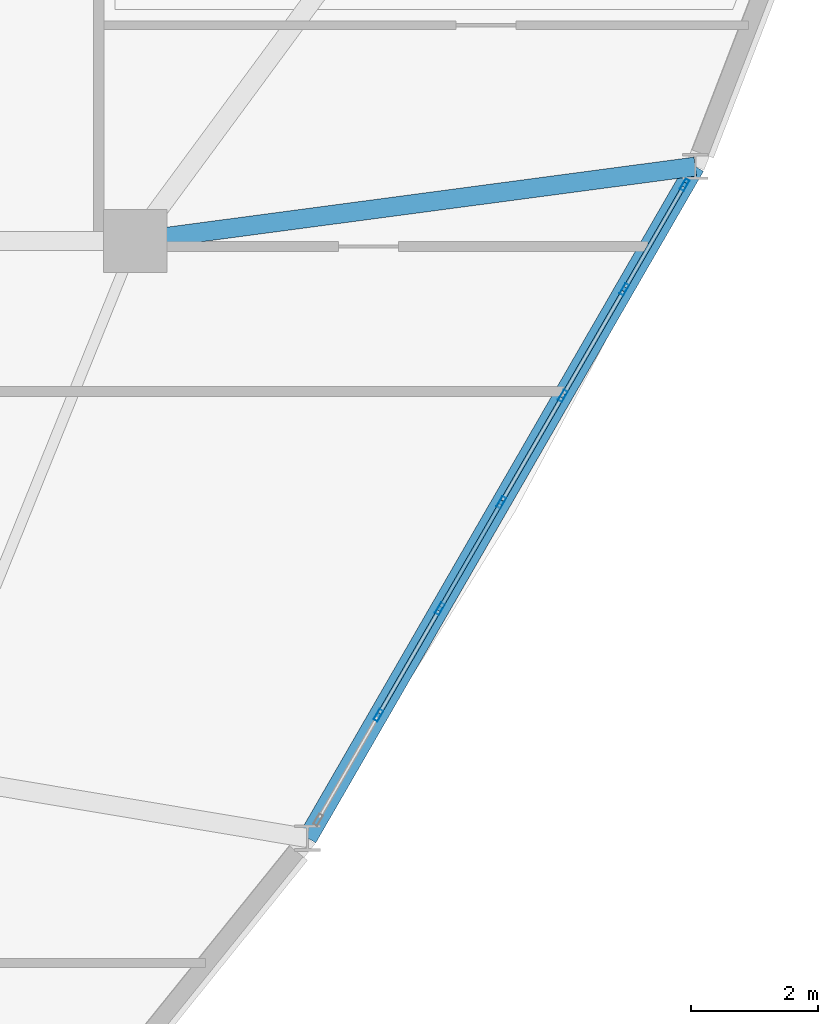
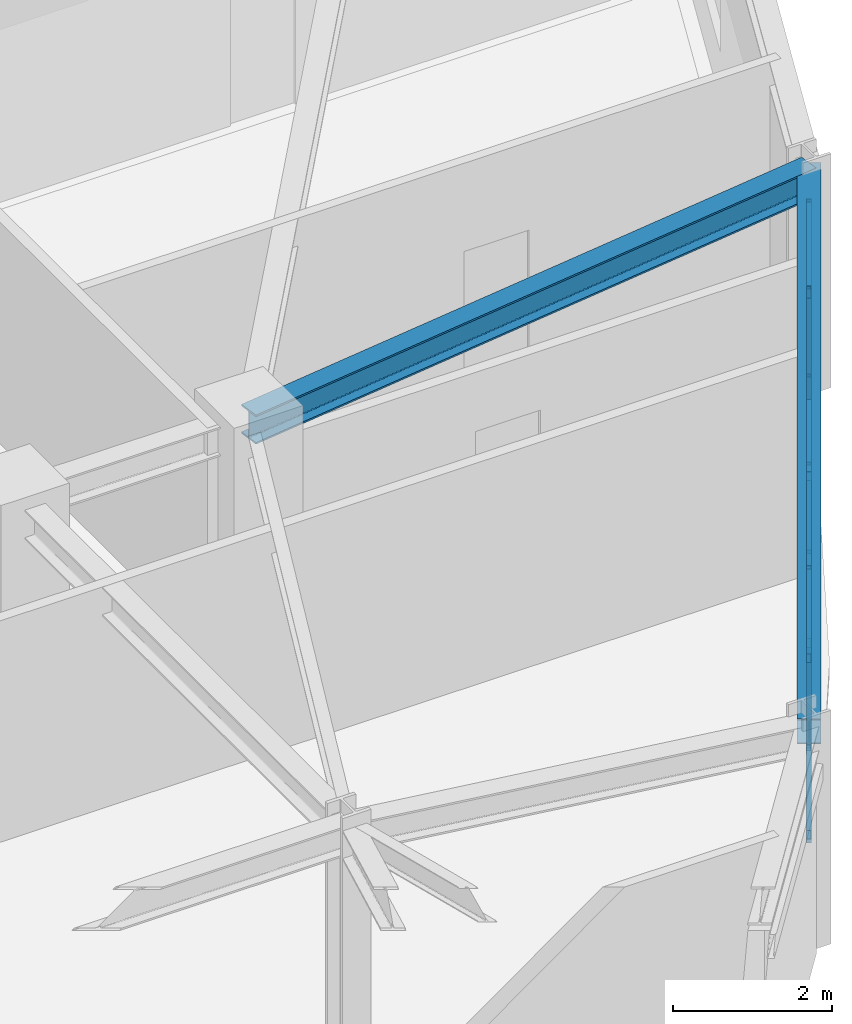
# One storey, part 7 of 16: 18 members, 2 beams, 1 element without a shape of its own.
"""IFC4 building model written with IfcOpenShell, lengths in metres."""

from ifc_helpers import new_model, si_unit, derived_unit, direction, frame, origin, origin_2d, place, context, subcontext, project, spatial, hollow_rectangle, i_section, extrude, source, transform, mapped, material, layer, layer_set, material_profile, profile_set, type_object, element, aggregate, save


model = new_model("IFC4")

# Units and contexts
model_context = context("Model", 3, precision=1e-05, world=origin(), true_north=direction((0.0, 1.0)))
body_context = subcontext(model_context, "Body", "Model", "MODEL_VIEW")
ifc_project = project(units=[si_unit("LENGTHUNIT", "METRE"), si_unit("AREAUNIT", "SQUARE_METRE"), si_unit("VOLUMEUNIT", "CUBIC_METRE"), si_unit("PLANEANGLEUNIT", "RADIAN"), si_unit("MASSUNIT", "GRAM", prefix="KILO"), derived_unit("THERMALTRANSMITTANCEUNIT", [(si_unit("POWERUNIT", "WATT"), 1), (si_unit("LENGTHUNIT", "METRE"), -2), (si_unit("THERMODYNAMICTEMPERATUREUNIT", "KELVIN"), -1)])], contexts=[model_context])

# Site, building, storey
site_placement = place(None, origin())
site = spatial("IfcSite", under=ifc_project, at=site_placement, CompositionType="ELEMENT")
building_placement = place(site_placement, origin())
building = spatial("IfcBuilding", under=site, at=building_placement, Name="Korsvarv Bourse and Concert Hall", CompositionType="ELEMENT")
storey_placement = place(building_placement, frame((0.0, 0.0, 216.60009765625)))
storey = spatial("IfcBuildingStorey", under=building, at=storey_placement, Name="L56", CompositionType="ELEMENT", Elevation=216.60009765625)

# Beams
ifc_material_1 = material(Name="Steel S355", Category="steel")
ifc_material_profile_1 = material_profile(ifc_material_1, i_section(OverallWidth=0.300048828125, OverallDepth=0.389892578125, WebThickness=0.010986328125, FlangeThickness=0.01904296875, FilletRadius=0.02099609375, at=origin_2d()), Name="HEA 400")
ifc_profile_set_1 = profile_set([ifc_material_profile_1], Name="Steel S355")
beam_type_1 = type_object("IfcBeamType", Name="BM-HEA400", PredefinedType="BEAM", material=ifc_profile_set_1)
shared_shape_1 = source(origin(), body_context, "Body", "SweptSolid", [
    extrude(i_section(OverallWidth=0.300048828125, OverallDepth=0.389892578125, WebThickness=0.010986328125, FlangeThickness=0.01904296875, FilletRadius=0.02099609375, at=origin_2d()), origin(), (0.0, 0.0, 1.0), 12.238037109375),
])
beam_1_placement = place(storey_placement, frame((50.5205078125, 22.975830078125, 3.21484375), z_axis=(0.499994725302, 0.866028449111, 0.0), x_axis=(-0.866028449111, 0.499994725302, 0.0)))
element("IfcBeam", 1, at=beam_1_placement, inside=storey, type_object=beam_type_1, Name="L56 beam B-11", PredefinedType="BEAM", context=body_context, shape_type="MappedRepresentation", body=[
    mapped(shared_shape_1, transform((0.0, 0.0, 0.0), scale=1.0)),
])
ifc_material_profile_2 = material_profile(ifc_material_1, i_section(OverallWidth=0.300048828125, OverallDepth=0.449951171875, WebThickness=0.013916015625, FlangeThickness=0.02587890625, FilletRadius=0.02099609375, at=origin_2d()), Name="HEB 450")
ifc_profile_set_2 = profile_set([ifc_material_profile_2], Name="Steel S355")
beam_type_2 = type_object("IfcBeamType", Name="BM-HEB450", PredefinedType="SPANDREL", material=ifc_profile_set_2)
shared_shape_2 = source(origin(), body_context, "Body", "SweptSolid", [
    extrude(i_section(OverallWidth=0.300048828125, OverallDepth=0.449951171875, WebThickness=0.013916015625, FlangeThickness=0.02587890625, FilletRadius=0.02099609375, at=origin_2d()), origin(), (0.0, 0.0, 1.0), 8.9169921875),
])
beam_2_placement = place(storey_placement, frame((56.639404296875, 33.57421875, 3.184814453125), z_axis=(-0.99129043861, -0.131693835544, 0.0), x_axis=(0.131693835544, -0.99129043861, 0.0)))
element("IfcBeam", 2, at=beam_2_placement, inside=storey, type_object=beam_type_2, Name="L56 beam B-08", PredefinedType="SPANDREL", context=body_context, shape_type="MappedRepresentation", body=[
    mapped(shared_shape_2, transform((0.0, 0.0, 0.0), scale=1.0)),
])

# Curtain wall, members
ifc_material_2 = material(Name="Anodised aluminium and triple low-E glazing", Category="glass")
ifc_layer = layer(ifc_material_2, 0.199951171875)
ifc_layer_set = layer_set([ifc_layer], Name="Anodised aluminium and triple low-E glazing")
curtain_wall_type = type_object("IfcCurtainWallType", Name="CW-SYS-3", PredefinedType="NOTDEFINED", material=ifc_layer_set)
curtain_wall_placement = place(storey_placement, origin())
curtain_wall = element("IfcCurtainWall", 3, at=curtain_wall_placement, inside=storey, type_object=curtain_wall_type, Name="L56 CW3 curtain wall CW-L56-F11", PredefinedType="NOTDEFINED")
ifc_material_3 = material(Name="Extruded aluminium EN AW-6063 T66", Category="aluminium")
ifc_material_profile_3 = material_profile(ifc_material_3, hollow_rectangle(XDim=0.070068359375, YDim=0.18994140625, WallThickness=0.0048828125, at=origin_2d()), Name="ALU-M 70x190")
ifc_profile_set_3 = profile_set([ifc_material_profile_3], Name="Extruded aluminium EN AW-6063 T66")
member_type_1 = type_object("IfcMemberType", Name="CWM-190", PredefinedType="MULLION", material=ifc_profile_set_3)
shared_shape_3 = source(origin(), body_context, "Body", "SweptSolid", [
    extrude(hollow_rectangle(XDim=0.070068359375, YDim=0.18994140625, WallThickness=0.0048828125, at=origin_2d()), origin(), (0.0, 0.0, 1.0), 3.02001953125),
])
member_1_placement = place(storey_placement, frame((51.6396484375, 24.914306640625, 0.0), z_axis=(0.0, 0.0, 1.0), x_axis=(-0.866029815681, 0.499992358293, 0.0)))
member_1 = element("IfcMember", 4, at=member_1_placement, type_object=member_type_1, Name="CW3 mullion 2", PredefinedType="MULLION", context=body_context, shape_type="MappedRepresentation", body=[
    mapped(shared_shape_3, transform((0.0, 0.0, 0.0), scale=1.0)),
])
member_2_placement = place(storey_placement, frame((52.60986328125, 26.5947265625, 0.0), z_axis=(0.0, 0.0, 1.0), x_axis=(-0.866029815681, 0.499992358293, 0.0)))
member_2 = element("IfcMember", 5, at=member_2_placement, type_object=member_type_1, Name="CW3 mullion 3", PredefinedType="MULLION", context=body_context, shape_type="MappedRepresentation", body=[
    mapped(shared_shape_3, transform((0.0, 0.0, 0.0), scale=1.0)),
])
member_3_placement = place(storey_placement, frame((53.580078125, 28.275146484375, 0.0), z_axis=(0.0, 0.0, 1.0), x_axis=(-0.866029815681, 0.499992358293, 0.0)))
member_3 = element("IfcMember", 6, at=member_3_placement, type_object=member_type_1, Name="CW3 mullion 4", PredefinedType="MULLION", context=body_context, shape_type="MappedRepresentation", body=[
    mapped(shared_shape_3, transform((0.0, 0.0, 0.0), scale=1.0)),
])
member_4_placement = place(storey_placement, frame((54.55029296875, 29.955322265625, 0.0), z_axis=(0.0, 0.0, 1.0), x_axis=(-0.866029815681, 0.499992358293, 0.0)))
member_4 = element("IfcMember", 7, at=member_4_placement, type_object=member_type_1, Name="CW3 mullion 5", PredefinedType="MULLION", context=body_context, shape_type="MappedRepresentation", body=[
    mapped(shared_shape_3, transform((0.0, 0.0, 0.0), scale=1.0)),
])
member_5_placement = place(storey_placement, frame((55.520263671875, 31.6357421875, 0.0), z_axis=(0.0, 0.0, 1.0), x_axis=(-0.866029815681, 0.499992358293, 0.0)))
member_5 = element("IfcMember", 8, at=member_5_placement, type_object=member_type_1, Name="CW3 mullion 6", PredefinedType="MULLION", context=body_context, shape_type="MappedRepresentation", body=[
    mapped(shared_shape_3, transform((0.0, 0.0, 0.0), scale=1.0)),
])
member_6_placement = place(storey_placement, frame((56.472900390625, 33.285888671875, 0.0), z_axis=(0.0, 0.0, 1.0), x_axis=(-0.866029815681, 0.499992358293, 0.0)))
member_6 = element("IfcMember", 9, at=member_6_placement, type_object=member_type_1, Name="CW3 mullion 7", PredefinedType="MULLION", context=body_context, shape_type="MappedRepresentation", body=[
    mapped(shared_shape_3, transform((0.0, 0.0, 0.0), scale=1.0)),
])
ifc_material_profile_4 = material_profile(ifc_material_3, hollow_rectangle(XDim=0.06494140625, YDim=0.139892578125, WallThickness=0.00390625, at=origin_2d()), Name="ALU-T 65x140")
ifc_profile_set_4 = profile_set([ifc_material_profile_4], Name="Extruded aluminium EN AW-6063 T66")
member_type_2 = type_object("IfcMemberType", Name="CWT-140", PredefinedType="USERDEFINED", material=ifc_profile_set_4)
shared_shape_4 = source(origin(), body_context, "Body", "SweptSolid", [
    extrude(hollow_rectangle(XDim=0.06494140625, YDim=0.139892578125, WallThickness=0.00390625, at=origin_2d()), origin(), (0.0, 0.0, 1.0), 1.83544921875),
])
member_7_placement = place(storey_placement, frame((55.537841796875, 31.666015625, 0.032470703125), z_axis=(0.499987270552, 0.86603275301, 0.0), x_axis=(-0.86603275301, 0.499987270552, 0.0)))
member_7 = element("IfcMember", 10, at=member_7_placement, type_object=member_type_2, Name="CW3 transom 6.1", ObjectType="TRANSOM", PredefinedType="USERDEFINED", context=body_context, shape_type="MappedRepresentation", body=[
    mapped(shared_shape_4, transform((0.0, 0.0, 0.0), scale=1.0)),
])
member_8_placement = place(storey_placement, frame((55.537841796875, 31.666015625, 2.9873046875), z_axis=(0.499987270552, 0.86603275301, 0.0), x_axis=(-0.86603275301, 0.499987270552, 0.0)))
member_8 = element("IfcMember", 11, at=member_8_placement, type_object=member_type_2, Name="CW3 transom 6.2", ObjectType="TRANSOM", PredefinedType="USERDEFINED", context=body_context, shape_type="MappedRepresentation", body=[
    mapped(shared_shape_4, transform((0.0, 0.0, 0.0), scale=1.0)),
])
shared_shape_5 = source(origin(), body_context, "Body", "SweptSolid", [
    extrude(hollow_rectangle(XDim=0.06494140625, YDim=0.139892578125, WallThickness=0.00390625, at=origin_2d()), origin(), (0.0, 0.0, 1.0), 1.870361328125),
])
member_9_placement = place(storey_placement, frame((51.6572265625, 24.944580078125, 0.032470703125), z_axis=(0.499929606556, 0.866066041644, 0.0), x_axis=(-0.866066041644, 0.499929606556, 0.0)))
member_9 = element("IfcMember", 12, at=member_9_placement, type_object=member_type_2, Name="CW3 transom 2.1", ObjectType="TRANSOM", PredefinedType="USERDEFINED", context=body_context, shape_type="MappedRepresentation", body=[
    mapped(shared_shape_5, transform((0.0, 0.0, 0.0), scale=1.0)),
])
member_10_placement = place(storey_placement, frame((51.6572265625, 24.944580078125, 2.9873046875), z_axis=(0.499929606556, 0.866066041644, 0.0), x_axis=(-0.866066041644, 0.499929606556, 0.0)))
member_10 = element("IfcMember", 13, at=member_10_placement, type_object=member_type_2, Name="CW3 transom 2.2", ObjectType="TRANSOM", PredefinedType="USERDEFINED", context=body_context, shape_type="MappedRepresentation", body=[
    mapped(shared_shape_5, transform((0.0, 0.0, 0.0), scale=1.0)),
])
member_11_placement = place(storey_placement, frame((54.567626953125, 29.98583984375, 0.032470703125), z_axis=(0.500084028426, 0.865976884515, 0.0), x_axis=(-0.865976884515, 0.500084028426, 0.0)))
member_11 = element("IfcMember", 14, at=member_11_placement, type_object=member_type_2, Name="CW3 transom 5.1", ObjectType="TRANSOM", PredefinedType="USERDEFINED", context=body_context, shape_type="MappedRepresentation", body=[
    mapped(shared_shape_5, transform((0.0, 0.0, 0.0), scale=1.0)),
])
member_12_placement = place(storey_placement, frame((54.567626953125, 29.98583984375, 2.9873046875), z_axis=(0.500084028426, 0.865976884515, 0.0), x_axis=(-0.865976884515, 0.500084028426, 0.0)))
member_12 = element("IfcMember", 15, at=member_12_placement, type_object=member_type_2, Name="CW3 transom 5.2", ObjectType="TRANSOM", PredefinedType="USERDEFINED", context=body_context, shape_type="MappedRepresentation", body=[
    mapped(shared_shape_5, transform((0.0, 0.0, 0.0), scale=1.0)),
])
shared_shape_6 = source(origin(), body_context, "Body", "SweptSolid", [
    extrude(hollow_rectangle(XDim=0.06494140625, YDim=0.139892578125, WallThickness=0.00390625, at=origin_2d()), origin(), (0.0, 0.0, 1.0), 1.8701171875),
])
member_13_placement = place(storey_placement, frame((52.62744140625, 26.625, 0.032470703125), z_axis=(0.49998612769, 0.866033412818, 0.0), x_axis=(-0.866033412818, 0.49998612769, 0.0)))
member_13 = element("IfcMember", 16, at=member_13_placement, type_object=member_type_2, Name="CW3 transom 3.1", ObjectType="TRANSOM", PredefinedType="USERDEFINED", context=body_context, shape_type="MappedRepresentation", body=[
    mapped(shared_shape_6, transform((0.0, 0.0, 0.0), scale=1.0)),
])
member_14_placement = place(storey_placement, frame((52.62744140625, 26.625, 2.9873046875), z_axis=(0.49998612769, 0.866033412818, 0.0), x_axis=(-0.866033412818, 0.49998612769, 0.0)))
member_14 = element("IfcMember", 17, at=member_14_placement, type_object=member_type_2, Name="CW3 transom 3.2", ObjectType="TRANSOM", PredefinedType="USERDEFINED", context=body_context, shape_type="MappedRepresentation", body=[
    mapped(shared_shape_6, transform((0.0, 0.0, 0.0), scale=1.0)),
])
member_15_placement = place(storey_placement, frame((53.59765625, 28.305419921875, 0.032470703125), z_axis=(0.49998612769, 0.866033412818, 0.0), x_axis=(-0.866033412818, 0.49998612769, 0.0)))
member_15 = element("IfcMember", 18, at=member_15_placement, type_object=member_type_2, Name="CW3 transom 4.1", ObjectType="TRANSOM", PredefinedType="USERDEFINED", context=body_context, shape_type="MappedRepresentation", body=[
    mapped(shared_shape_6, transform((0.0, 0.0, 0.0), scale=1.0)),
])
member_16_placement = place(storey_placement, frame((53.59765625, 28.305419921875, 2.9873046875), z_axis=(0.49998612769, 0.866033412818, 0.0), x_axis=(-0.866033412818, 0.49998612769, 0.0)))
member_16 = element("IfcMember", 19, at=member_16_placement, type_object=member_type_2, Name="CW3 transom 4.2", ObjectType="TRANSOM", PredefinedType="USERDEFINED", context=body_context, shape_type="MappedRepresentation", body=[
    mapped(shared_shape_6, transform((0.0, 0.0, 0.0), scale=1.0)),
])
ifc_material_profile_5 = material_profile(ifc_material_3, hollow_rectangle(XDim=0.06494140625, YDim=0.1650390625, WallThickness=0.0048828125, at=origin_2d()), Name="ALU-M 65x165")
ifc_profile_set_5 = profile_set([ifc_material_profile_5], Name="Extruded aluminium EN AW-6063 T66")
member_type_3 = type_object("IfcMemberType", Name="CWM-165", PredefinedType="MULLION", material=ifc_profile_set_5)
shared_shape_7 = source(origin(), body_context, "Body", "SweptSolid", [
    extrude(hollow_rectangle(XDim=0.06494140625, YDim=0.1650390625, WallThickness=0.0048828125, at=origin_2d()), origin(), (0.0, 0.0, 1.0), 3.442138671875),
])
member_17_placement = place(storey_placement, frame((52.62744140625, 26.625, 0.06494140625), z_axis=(0.271642529472, 0.470516068021, 0.839538543437), x_axis=(-0.866033412818, 0.49998612769, 0.0)))
member_17 = element("IfcMember", 20, at=member_17_placement, type_object=member_type_3, Name="CW3 diagonal mullion 3", PredefinedType="MULLION", context=body_context, shape_type="MappedRepresentation", body=[
    mapped(shared_shape_7, transform((0.0, 0.0, 0.0), scale=1.0)),
])
shared_shape_8 = source(origin(), body_context, "Body", "SweptSolid", [
    extrude(hollow_rectangle(XDim=0.06494140625, YDim=0.1650390625, WallThickness=0.0048828125, at=origin_2d()), origin(), (0.0, 0.0, 1.0), 3.423583984375),
])
member_18_placement = place(storey_placement, frame((56.45556640625, 33.255615234375, 0.06494140625), z_axis=(-0.268064222609, -0.464316614368, 0.844127747547), x_axis=(0.86603275301, -0.499987270552, 0.0)))
member_18 = element("IfcMember", 21, at=member_18_placement, type_object=member_type_3, Name="CW3 diagonal mullion 6", PredefinedType="MULLION", context=body_context, shape_type="MappedRepresentation", body=[
    mapped(shared_shape_8, transform((0.0, 0.0, 0.0), scale=1.0)),
])
aggregate(curtain_wall, [member_1, member_2, member_3, member_4, member_5, member_6, member_9, member_10, member_13, member_14, member_17, member_15, member_16, member_11, member_12, member_7, member_8, member_18])

save(model, "model.ifc")
